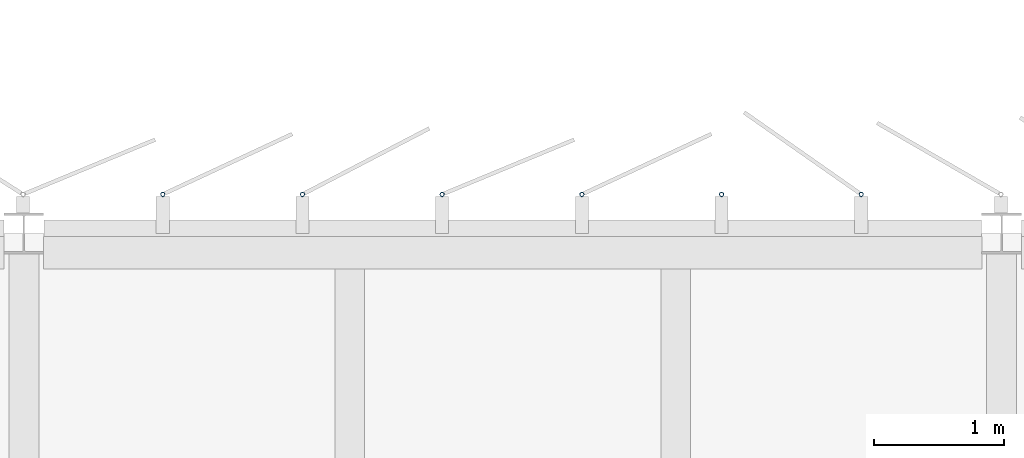
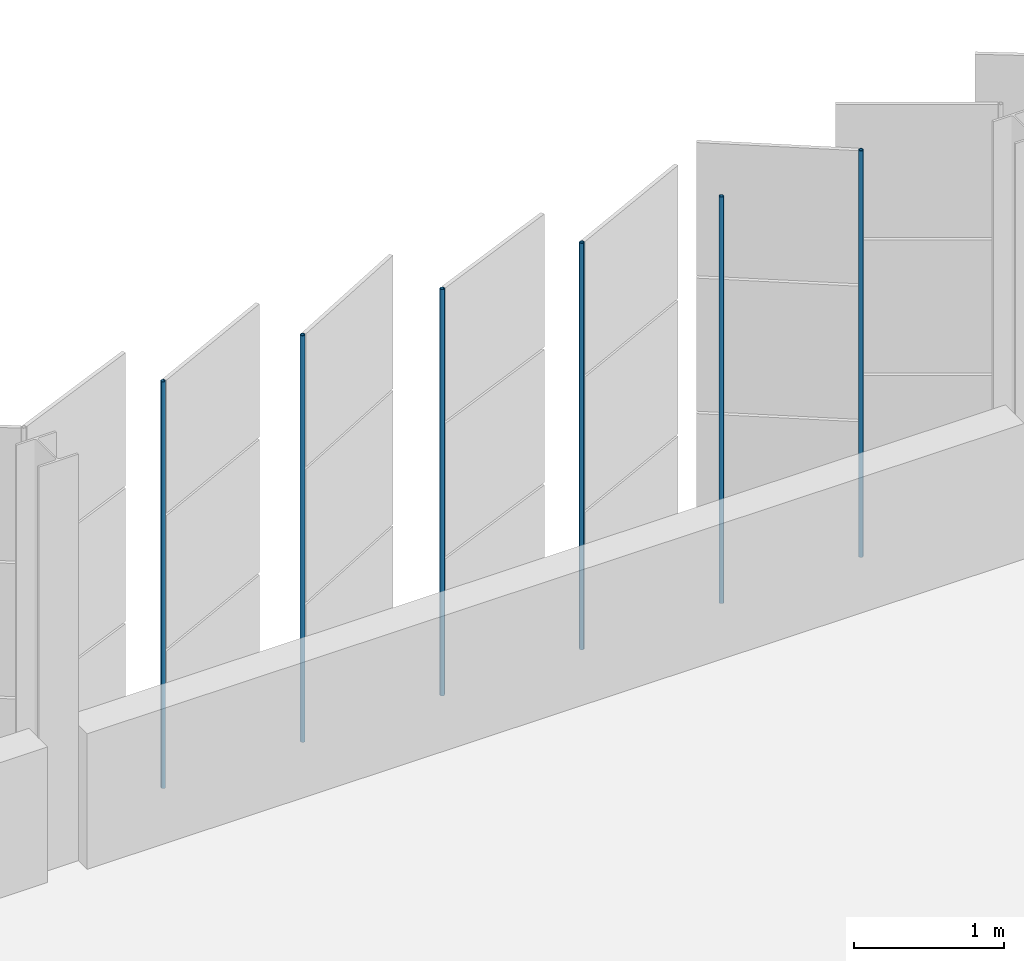
# One storey, part 159 of 214: 6 discrete accessories.
"""IFC4 building model written with IfcOpenShell, lengths in metres."""

from ifc_helpers import new_model, si_unit, direction, frame, origin, origin_2d, place, context, subcontext, project, spatial, hollow_circle, extrude, material, material_profile, profile_set, type_object, element, save


model = new_model("IFC4")

# Units and contexts
model_context = context("Model", 3, precision=1e-05, world=origin(), true_north=direction((0.0, 1.0)))
body_context = subcontext(model_context, "Body", "Model", "MODEL_VIEW")
ifc_project = project(units=[si_unit("LENGTHUNIT", "METRE"), si_unit("AREAUNIT", "SQUARE_METRE"), si_unit("VOLUMEUNIT", "CUBIC_METRE"), si_unit("PLANEANGLEUNIT", "RADIAN"), si_unit("MASSUNIT", "GRAM", prefix="KILO")], contexts=[model_context])

# Site, building, storey
site_placement = place(None, origin())
site = spatial("IfcSite", under=ifc_project, at=site_placement, CompositionType="ELEMENT")
building_placement = place(site_placement, origin())
building = spatial("IfcBuilding", under=site, at=building_placement, Name="Parallax Yard Mobility Hub", CompositionType="ELEMENT")
storey_placement = place(building_placement, frame((0.0, 0.0, 3.300048828125)))
storey = spatial("IfcBuildingStorey", under=building, at=storey_placement, Name="L01", CompositionType="ELEMENT", Elevation=3.300048828125)

# Discrete accessories
ifc_material = material(Name="Steel ASTM A500 Gr C, hot-dip galvanised", Category="steel")
ifc_material_profile = material_profile(ifc_material, hollow_circle(Radius=0.016845703125, WallThickness=0.003173828125, at=origin_2d()), Name="CHS 33.7x3.2")
ifc_profile_set = profile_set([ifc_material_profile], Name="Steel ASTM A500 Gr C, hot-dip galvanised")
discrete_accessory_type = type_object("IfcDiscreteAccessoryType", Name="Hinge post CHS 33.7x3.2", PredefinedType="BRACKET", material=ifc_profile_set)
for number, where, z_axis, x_axis, name in (
    (1, (111.423095703125, 142.800048828125, 0.0), (0.0, 0.0, 1.0), (1.0, 0.0, 0.0), "Hinge post bay 59.2 level L01"),
    (2, (110.351806640625, 142.800048828125, 0.0), (0.0, 0.0, 1.0), (1.0, 0.0, 0.0), "Hinge post bay 59.3 level L01"),
    (3, (109.280029296875, 142.800048828125, 0.0), (0.0, 0.0, 1.0), (1.0, 0.0, 0.0), "Hinge post bay 59.4 level L01"),
    (4, (108.20849609375, 142.800048828125, 0.0), (0.0, 0.0, 1.0), (1.0, 0.0, 0.0), "Hinge post bay 59.5 level L01"),
    (5, (107.136962890625, 142.800048828125, 0.0), (0.0, 0.0, 1.0), (1.0, 0.0, 0.0), "Hinge post bay 59.6 level L01"),
    (6, (106.0654296875, 142.800048828125, 0.0), (0.0, 0.0, 1.0), (1.0, 0.0, 0.0), "Hinge post bay 59.7 level L01"),
):
    element("IfcDiscreteAccessory", number, at=place(storey_placement, frame(where, z_axis=z_axis, x_axis=x_axis)), inside=storey, type_object=discrete_accessory_type, Name=name, PredefinedType="BRACKET", context=body_context, shape_type="SweptSolid", body=[
        extrude(hollow_circle(Radius=0.016845703125, WallThickness=0.003173828125, at=origin_2d()), origin(), (0.0, 0.0, 1.0), 3.300048828125),
    ])

save(model, "model.ifc")
